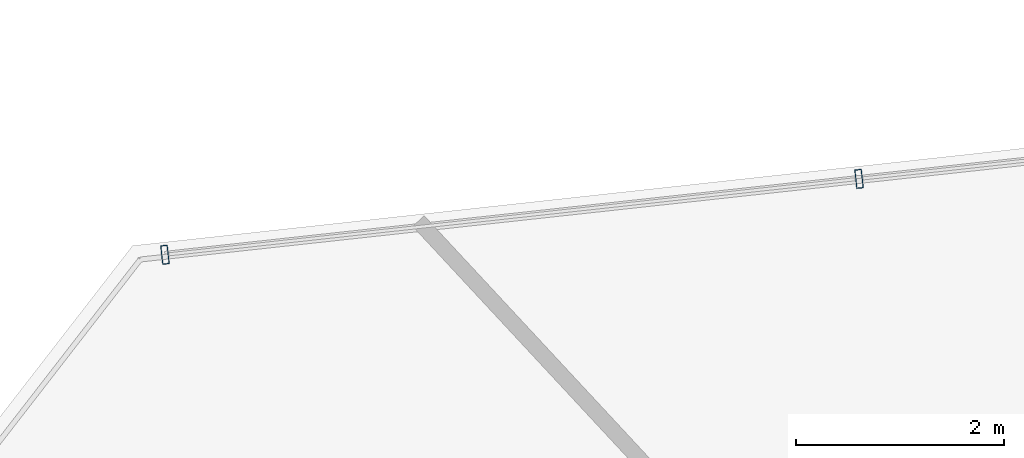
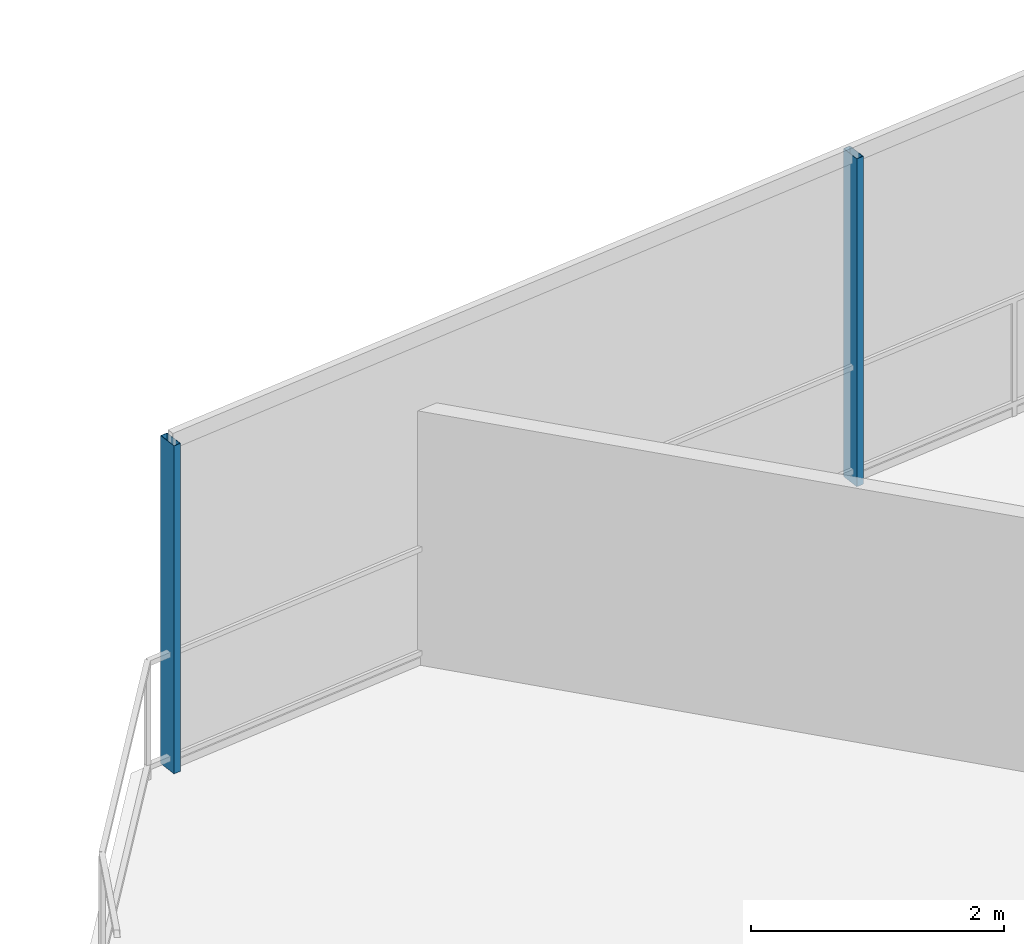
# One storey, part 16 of 30: 2 members, 1 element without a shape of its own.
"""IFC4 building model written with IfcOpenShell, lengths in metres."""

from ifc_helpers import new_model, si_unit, direction, frame, origin, origin_2d, place, context, subcontext, project, spatial, hollow_rectangle, extrude, material, layer, layer_set, material_profile, profile_set, type_object, element, aggregate, save


model = new_model("IFC4")

# Units and contexts
model_context = context("Model", 3, precision=1e-05, world=origin(), true_north=direction((0.0, 1.0)))
body_context = subcontext(model_context, "Body", "Model", "MODEL_VIEW")
ifc_project = project(units=[si_unit("LENGTHUNIT", "METRE"), si_unit("AREAUNIT", "SQUARE_METRE"), si_unit("VOLUMEUNIT", "CUBIC_METRE"), si_unit("PLANEANGLEUNIT", "RADIAN"), si_unit("MASSUNIT", "GRAM", prefix="KILO")], contexts=[model_context])

# Site, building, storey
site_placement = place(None, origin())
site = spatial("IfcSite", under=ifc_project, at=site_placement, CompositionType="ELEMENT")
building_placement = place(site_placement, origin())
building = spatial("IfcBuilding", under=site, at=building_placement, Name="Qarnah Convention Tower", CompositionType="ELEMENT")
storey_placement = place(building_placement, frame((0.0, 0.0, 90.14990234375)))
storey = spatial("IfcBuildingStorey", under=building, at=storey_placement, Name="L23", CompositionType="ELEMENT", Elevation=90.14990234375)

# Curtain wall, members
ifc_material_1 = material(Name="Tempered Low-E dark glass", Category="glass")
ifc_layer = layer(ifc_material_1, 0.169921875)
ifc_layer_set = layer_set([ifc_layer], Name="Tempered Low-E dark glass")
curtain_wall_type = type_object("IfcCurtainWallType", Name="CWS-02", PredefinedType="NOTDEFINED", material=ifc_layer_set)
curtain_wall_placement = place(storey_placement, origin())
curtain_wall = element("IfcCurtainWall", 1, at=curtain_wall_placement, inside=storey, type_object=curtain_wall_type, Name="L23 unitised curtain wall CW-L23-F1", PredefinedType="NOTDEFINED")
ifc_material_2 = material(Name="Black anodised aluminium", Category="aluminium")
ifc_material_profile = material_profile(ifc_material_2, hollow_rectangle(XDim=0.06494140625, YDim=0.179931640625, WallThickness=0.00390625, at=origin_2d()), Name="MUL-65X180")
ifc_profile_set = profile_set([ifc_material_profile], Name="Black anodised aluminium")
member_type = type_object("IfcMemberType", Name="MUL-T2", PredefinedType="MULLION", material=ifc_profile_set)
member_1_placement = place(storey_placement, frame((19.455078125, 42.177978515625, 0.0), z_axis=(0.0, 0.0, 1.0), x_axis=(0.994075420686, 0.10869249279, 0.0)))
member_1 = element("IfcMember", 2, at=member_1_placement, type_object=member_type, Name="CW-L23-F1 mullion 1", PredefinedType="MULLION", context=body_context, shape_type="SweptSolid", body=[
    extrude(hollow_rectangle(XDim=0.06494140625, YDim=0.179931640625, WallThickness=0.00390625, at=origin_2d()), origin(), (0.0, 0.0, 1.0), 3.170166015625),
])
member_2_placement = place(storey_placement, frame((26.11865234375, 42.906494140625, 0.0), z_axis=(0.0, 0.0, 1.0), x_axis=(0.994075420686, 0.10869249279, 0.0)))
member_2 = element("IfcMember", 3, at=member_2_placement, type_object=member_type, Name="CW-L23-F1 mullion 2", PredefinedType="MULLION", context=body_context, shape_type="SweptSolid", body=[
    extrude(hollow_rectangle(XDim=0.06494140625, YDim=0.179931640625, WallThickness=0.00390625, at=origin_2d()), origin(), (0.0, 0.0, 1.0), 3.170166015625),
])
aggregate(curtain_wall, [member_1, member_2])

save(model, "model.ifc")
